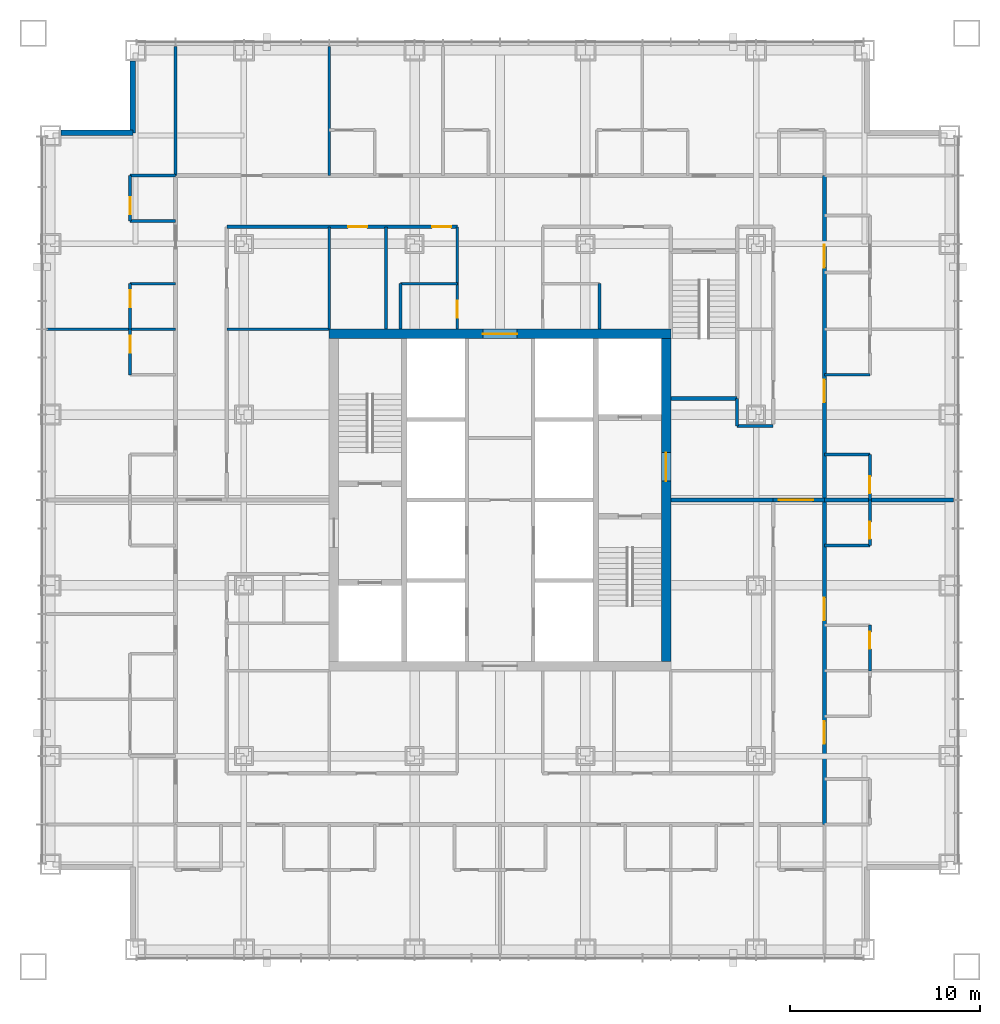
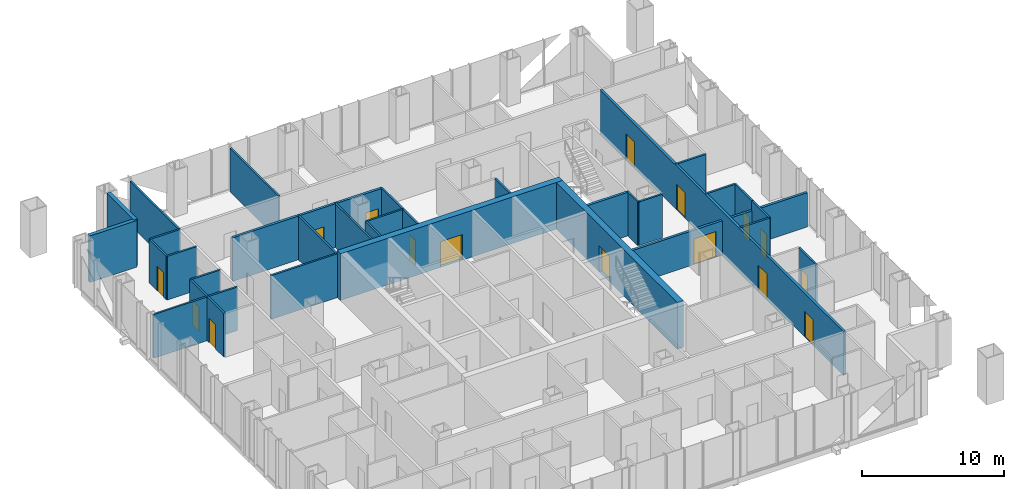
# One storey, part 11 of 14: 34 walls, 16 doors, 16 openings.
"""IFC4 building model written with IfcOpenShell, lengths in metres."""

from ifc_helpers import new_model, si_unit, direction, frame, frame_2d, origin, place, context, subcontext, project, spatial, rectangle, extrude, material, layer, layer_set, type_object, element, fill, save


model = new_model("IFC4")

# Units and contexts
model_context = context("Model", 3, precision=1e-05, world=origin(), true_north=direction((0.0, 1.0)))
body_context = subcontext(model_context, "Body", "Model", "MODEL_VIEW")
ifc_project = project(units=[si_unit("LENGTHUNIT", "METRE"), si_unit("AREAUNIT", "SQUARE_METRE"), si_unit("VOLUMEUNIT", "CUBIC_METRE"), si_unit("PLANEANGLEUNIT", "RADIAN"), si_unit("MASSUNIT", "GRAM", prefix="KILO")], contexts=[model_context])

# Site, building, storey
site_placement = place(None, origin())
site = spatial("IfcSite", under=ifc_project, at=site_placement, CompositionType="ELEMENT")
building_placement = place(site_placement, origin())
building = spatial("IfcBuilding", under=site, at=building_placement, Name="Malebo Sky Hospital", CompositionType="ELEMENT")
storey_placement = place(building_placement, frame((0.0, 0.0, 164.0)))
storey = spatial("IfcBuildingStorey", under=building, at=storey_placement, Name="L39", CompositionType="ELEMENT", Elevation=164.0)

# Wall, opening, door
ifc_material_1 = material(Name="Concrete C80/95", Category="concrete")
ifc_layer_1 = layer(ifc_material_1, 0.5)
ifc_layer_set_1 = layer_set([ifc_layer_1], Name="CORE WALL 500")
wall_type_1 = type_object("IfcWallType", Name="CORE WALL 500", PredefinedType="SHEAR", material=ifc_layer_set_1)
wall_1_placement = place(storey_placement, frame((51.0, 70.75, 0.0), z_axis=(0.0, 0.0, 1.0), x_axis=(1.0, 0.0, 0.0)))
wall_1 = element("IfcWall", 1, at=wall_1_placement, inside=storey, type_object=wall_type_1, Name="Core wall N L39", PredefinedType="SHEAR", context=body_context, shape_type="SweptSolid", body=[
    extrude(rectangle(XDim=18.0, YDim=0.5, at=frame_2d((9.0, 0.0))), origin(), (0.0, 0.0, 1.0), 4.0),
])
opening_1_placement = place(wall_1_placement, frame((8.10009765625, 0.0, 0.0)))
opening_1 = element("IfcOpeningElement", 2, at=opening_1_placement, cuts=wall_1, Name="Opening D06", PredefinedType="OPENING", context=body_context, shape_type="SweptSolid", body=[
    extrude(rectangle(XDim=1.800048828125, YDim=2.199951171875, at=frame_2d((0.89990234375, 1.10009765625))), frame((0.0, 0.260009765625, 0.0), z_axis=(0.0, -1.0, 0.0), x_axis=(1.0, 0.0, 0.0)), (0.0, 0.0, 1.0), 0.52001953125),
])
ifc_material_2 = material(Name="Hardwood-faced door leaf in steel frame", Category="steel")
door_type_1 = type_object("IfcDoorType", Name="LOBBY DOOR PAIR 1800", OperationType="DOUBLE_DOOR_SINGLE_SWING", PredefinedType="DOOR", material=ifc_material_2)
door_1_placement = place(opening_1_placement, origin())
door_1 = element("IfcDoor", 3, at=door_1_placement, inside=storey, type_object=door_type_1, Name="staff rest room door north", OperationType="DOUBLE_DOOR_SINGLE_SWING", OverallHeight=2.199951171875, OverallWidth=1.800048828125, PredefinedType="DOOR", context=body_context, shape_type="SweptSolid", body=[
    extrude(rectangle(XDim=1.800048828125, YDim=2.199951171875, at=frame_2d((0.89990234375, 1.10009765625))), frame((0.0, 0.02490234375, 0.0), z_axis=(0.0, -1.0, 0.0), x_axis=(1.0, 0.0, 0.0)), (0.0, 0.0, 1.0), 0.050048828125),
])
fill(opening_1, door_1)

wall_2_placement = place(storey_placement, frame((68.75, 53.5, 0.0), z_axis=(0.0, 0.0, 1.0), x_axis=(0.0, 1.0, 0.0)))
wall_2 = element("IfcWall", 4, at=wall_2_placement, inside=storey, type_object=wall_type_1, Name="Core wall E L39", PredefinedType="SHEAR", context=body_context, shape_type="SweptSolid", body=[
    extrude(rectangle(XDim=17.0, YDim=0.5, at=frame_2d((8.5, 0.0))), origin(), (0.0, 0.0, 1.0), 4.0),
])
opening_2_placement = place(wall_2_placement, frame((9.5, 0.0, 0.0)))
opening_2 = element("IfcOpeningElement", 5, at=opening_2_placement, cuts=wall_2, Name="Opening D07", PredefinedType="OPENING", context=body_context, shape_type="SweptSolid", body=[
    extrude(rectangle(XDim=1.5, YDim=2.199951171875, at=frame_2d((0.75, 1.10009765625))), frame((0.0, 0.260009765625, 0.0), z_axis=(0.0, -1.0, 0.0), x_axis=(1.0, 0.0, 0.0)), (0.0, 0.0, 1.0), 0.52001953125),
])
door_type_2 = type_object("IfcDoorType", Name="FIRE-FIGHTING LOBBY DOOR PAIR 1500", OperationType="DOUBLE_DOOR_SINGLE_SWING", PredefinedType="DOOR", material=ifc_material_2)
door_2_placement = place(opening_2_placement, origin())
door_2 = element("IfcDoor", 6, at=door_2_placement, inside=storey, type_object=door_type_2, Name="Fire-fighting lobby door east", OperationType="DOUBLE_DOOR_SINGLE_SWING", OverallHeight=2.199951171875, OverallWidth=1.5, PredefinedType="DOOR", context=body_context, shape_type="SweptSolid", body=[
    extrude(rectangle(XDim=1.5, YDim=2.199951171875, at=frame_2d((0.75, 1.10009765625))), frame((0.0, 0.02490234375, 0.0), z_axis=(0.0, -1.0, 0.0), x_axis=(1.0, 0.0, 0.0)), (0.0, 0.0, 1.0), 0.050048828125),
])
fill(opening_2, door_2)

# Wall, openings, doors
ifc_material_3 = material(Name="Gypsum board on steel studs", Category="steel")
ifc_layer_2 = layer(ifc_material_3, 0.199951171875)
ifc_layer_set_2 = layer_set([ifc_layer_2], Name="CORRIDOR WALL 200")
wall_type_2 = type_object("IfcWallType", Name="CORRIDOR WALL 200", PredefinedType="PARTITIONING", material=ifc_layer_set_2)
wall_3_placement = place(storey_placement, frame((45.60009765625, 76.39990234375, 0.0), z_axis=(0.0, 0.0, 1.0), x_axis=(1.0, 0.0, 0.0)))
wall_3 = element("IfcWall", 7, at=wall_3_placement, inside=storey, type_object=wall_type_2, Name="Corridor Wall 200 NCI1", PredefinedType="PARTITIONING", context=body_context, shape_type="SweptSolid", body=[
    extrude(rectangle(XDim=12.14990234375, YDim=0.199951171875, at=frame_2d((6.074951171875, 0.0))), origin(), (0.0, 0.0, 1.0), 3.75),
])
opening_3_placement = place(wall_3_placement, frame((6.39990234375, 0.0, 0.0)))
opening_3 = element("IfcOpeningElement", 8, at=opening_3_placement, cuts=wall_3, Name="Opening D03", PredefinedType="OPENING", context=body_context, shape_type="SweptSolid", body=[
    extrude(rectangle(XDim=1.0, YDim=2.10009765625, at=frame_2d((0.5, 1.050048828125))), frame((0.0, 0.10986328125, 0.0), z_axis=(0.0, -1.0, 0.0), x_axis=(1.0, 0.0, 0.0)), (0.0, 0.0, 1.0), 0.219970703125),
])
opening_4_placement = place(wall_3_placement, frame((10.824951171875, 0.0, 0.0)))
opening_4 = element("IfcOpeningElement", 9, at=opening_4_placement, cuts=wall_3, Name="Opening D03", PredefinedType="OPENING", context=body_context, shape_type="SweptSolid", body=[
    extrude(rectangle(XDim=1.0, YDim=2.10009765625, at=frame_2d((0.5, 1.050048828125))), frame((0.0, 0.10986328125, 0.0), z_axis=(0.0, -1.0, 0.0), x_axis=(1.0, 0.0, 0.0)), (0.0, 0.0, 1.0), 0.219970703125),
])
door_type_3 = type_object("IfcDoorType", Name="ROOM DOOR 1000", OperationType="SINGLE_SWING_LEFT", PredefinedType="DOOR", material=ifc_material_2)
door_3_placement = place(opening_3_placement, origin())
door_3 = element("IfcDoor", 10, at=door_3_placement, inside=storey, type_object=door_type_3, Name="Equipment bay store door", OperationType="SINGLE_SWING_LEFT", OverallHeight=2.10009765625, OverallWidth=1.0, PredefinedType="DOOR", context=body_context, shape_type="SweptSolid", body=[
    extrude(rectangle(XDim=1.0, YDim=2.10009765625, at=frame_2d((0.5, 1.050048828125))), frame((0.0, 0.02490234375, 0.0), z_axis=(0.0, -1.0, 0.0), x_axis=(1.0, 0.0, 0.0)), (0.0, 0.0, 1.0), 0.050048828125),
])
fill(opening_3, door_3)
door_4_placement = place(opening_4_placement, origin())
door_4 = element("IfcDoor", 11, at=door_4_placement, inside=storey, type_object=door_type_3, Name="Medication room door", OperationType="SINGLE_SWING_RIGHT", OverallHeight=2.10009765625, OverallWidth=1.0, PredefinedType="DOOR", context=body_context, shape_type="SweptSolid", body=[
    extrude(rectangle(XDim=1.0, YDim=2.10009765625, at=frame_2d((0.5, 1.050048828125))), frame((0.0, 0.02490234375, 0.0), z_axis=(0.0, -1.0, 0.0), x_axis=(1.0, 0.0, 0.0)), (0.0, 0.0, 1.0), 0.050048828125),
])
fill(opening_4, door_4)

wall_4_placement = place(storey_placement, frame((77.10009765625, 79.10009765625, 0.0), z_axis=(0.0, 0.0, 1.0), x_axis=(0.0, -1.0, 0.0)))
wall_4 = element("IfcWall", 12, at=wall_4_placement, inside=storey, type_object=wall_type_2, Name="Corridor Wall 200 ECO", PredefinedType="PARTITIONING", context=body_context, shape_type="SweptSolid", body=[
    extrude(rectangle(XDim=34.2001953125, YDim=0.199951171875, at=frame_2d((17.10009765625, 0.0))), origin(), (0.0, 0.0, 1.0), 3.75),
])
opening_5_placement = place(wall_4_placement, frame((3.64990234375, 0.0, 0.0)))
opening_5 = element("IfcOpeningElement", 13, at=opening_5_placement, cuts=wall_4, Name="Opening D18", PredefinedType="OPENING", context=body_context, shape_type="SweptSolid", body=[
    extrude(rectangle(XDim=1.199951171875, YDim=2.199951171875, at=frame_2d((0.60009765625, 1.10009765625))), frame((0.0, 0.10986328125, 0.0), z_axis=(0.0, -1.0, 0.0), x_axis=(1.0, 0.0, 0.0)), (0.0, 0.0, 1.0), 0.219970703125),
])
opening_6_placement = place(wall_4_placement, frame((10.75, 0.0, 0.0)))
opening_6 = element("IfcOpeningElement", 14, at=opening_6_placement, cuts=wall_4, Name="Opening D01", PredefinedType="OPENING", context=body_context, shape_type="SweptSolid", body=[
    extrude(rectangle(XDim=1.199951171875, YDim=2.199951171875, at=frame_2d((0.60009765625, 1.10009765625))), frame((0.0, 0.10986328125, 0.0), z_axis=(0.0, -1.0, 0.0), x_axis=(1.0, 0.0, 0.0)), (0.0, 0.0, 1.0), 0.219970703125),
])
opening_7_placement = place(wall_4_placement, frame((22.25, 0.0, 0.0)))
opening_7 = element("IfcOpeningElement", 15, at=opening_7_placement, cuts=wall_4, Name="Opening D01", PredefinedType="OPENING", context=body_context, shape_type="SweptSolid", body=[
    extrude(rectangle(XDim=1.199951171875, YDim=2.199951171875, at=frame_2d((0.60009765625, 1.10009765625))), frame((0.0, 0.10986328125, 0.0), z_axis=(0.0, -1.0, 0.0), x_axis=(1.0, 0.0, 0.0)), (0.0, 0.0, 1.0), 0.219970703125),
])
opening_8_placement = place(wall_4_placement, frame((28.75, 0.0, 0.0)))
opening_8 = element("IfcOpeningElement", 16, at=opening_8_placement, cuts=wall_4, Name="Opening D01", PredefinedType="OPENING", context=body_context, shape_type="SweptSolid", body=[
    extrude(rectangle(XDim=1.199951171875, YDim=2.199951171875, at=frame_2d((0.60009765625, 1.10009765625))), frame((0.0, 0.10986328125, 0.0), z_axis=(0.0, -1.0, 0.0), x_axis=(1.0, 0.0, 0.0)), (0.0, 0.0, 1.0), 0.219970703125),
])
door_type_4 = type_object("IfcDoorType", Name="ANTEROOM DOOR 1200", OperationType="SINGLE_SWING_LEFT", PredefinedType="DOOR", material=ifc_material_2)
door_5_placement = place(opening_5_placement, origin())
door_5 = element("IfcDoor", 17, at=door_5_placement, inside=storey, type_object=door_type_4, Name="Anteroom door", OperationType="SINGLE_SWING_RIGHT", OverallHeight=2.199951171875, OverallWidth=1.199951171875, PredefinedType="DOOR", context=body_context, shape_type="SweptSolid", body=[
    extrude(rectangle(XDim=1.199951171875, YDim=2.199951171875, at=frame_2d((0.60009765625, 1.10009765625))), frame((0.0, 0.02490234375, 0.0), z_axis=(0.0, -1.0, 0.0), x_axis=(1.0, 0.0, 0.0)), (0.0, 0.0, 1.0), 0.050048828125),
])
fill(opening_5, door_5)
door_type_5 = type_object("IfcDoorType", Name="BED DOOR 1200", OperationType="SINGLE_SWING_LEFT", PredefinedType="DOOR", material=ifc_material_2)
door_6_placement = place(opening_6_placement, origin())
door_6 = element("IfcDoor", 18, at=door_6_placement, inside=storey, type_object=door_type_5, Name="Four-bed bay door", OperationType="SINGLE_SWING_LEFT", OverallHeight=2.199951171875, OverallWidth=1.199951171875, PredefinedType="DOOR", context=body_context, shape_type="SweptSolid", body=[
    extrude(rectangle(XDim=1.199951171875, YDim=2.199951171875, at=frame_2d((0.60009765625, 1.10009765625))), frame((0.0, 0.02490234375, 0.0), z_axis=(0.0, -1.0, 0.0), x_axis=(1.0, 0.0, 0.0)), (0.0, 0.0, 1.0), 0.050048828125),
])
fill(opening_6, door_6)
door_7_placement = place(opening_7_placement, origin())
door_7 = element("IfcDoor", 19, at=door_7_placement, inside=storey, type_object=door_type_5, Name="Four-bed bay door", OperationType="SINGLE_SWING_RIGHT", OverallHeight=2.199951171875, OverallWidth=1.199951171875, PredefinedType="DOOR", context=body_context, shape_type="SweptSolid", body=[
    extrude(rectangle(XDim=1.199951171875, YDim=2.199951171875, at=frame_2d((0.60009765625, 1.10009765625))), frame((0.0, 0.02490234375, 0.0), z_axis=(0.0, -1.0, 0.0), x_axis=(1.0, 0.0, 0.0)), (0.0, 0.0, 1.0), 0.050048828125),
])
fill(opening_7, door_7)
door_8_placement = place(opening_8_placement, origin())
door_8 = element("IfcDoor", 20, at=door_8_placement, inside=storey, type_object=door_type_5, Name="Four-bed bay door", OperationType="SINGLE_SWING_LEFT", OverallHeight=2.199951171875, OverallWidth=1.199951171875, PredefinedType="DOOR", context=body_context, shape_type="SweptSolid", body=[
    extrude(rectangle(XDim=1.199951171875, YDim=2.199951171875, at=frame_2d((0.60009765625, 1.10009765625))), frame((0.0, 0.02490234375, 0.0), z_axis=(0.0, -1.0, 0.0), x_axis=(1.0, 0.0, 0.0)), (0.0, 0.0, 1.0), 0.050048828125),
])
fill(opening_8, door_8)

# Walls
ifc_material_4 = material(Name="Anodised aluminium rainscreen on steel framing", Category="steel")
ifc_layer_3 = layer(ifc_material_4, 0.300048828125)
ifc_layer_set_3 = layer_set([ifc_layer_3], Name="NOTCH RAINSCREEN WALL 300")
wall_type_3 = type_object("IfcWallType", Name="NOTCH RAINSCREEN WALL 300", PredefinedType="ELEMENTEDWALL", material=ifc_layer_set_3)
for number, where, z_axis, x_axis, name in (
    (21, (36.85009765625, 81.35009765625, 0.0), (0.0, 0.0, 1.0), (1.0, 0.0, 0.0), "Notch rainscreen wall W1 L39"),
    (22, (40.64990234375, 81.35009765625, 0.0), (0.0, 0.0, 1.0), (0.0, 1.0, 0.0), "Notch rainscreen wall W2 L39"),
):
    element("IfcWall", number, at=place(storey_placement, frame(where, z_axis=z_axis, x_axis=x_axis)), inside=storey, type_object=wall_type_3, Name=name, PredefinedType="ELEMENTEDWALL", context=body_context, shape_type="SweptSolid", body=[
        extrude(rectangle(XDim=3.7998046875, YDim=0.300048828125, at=frame_2d((1.89990234375, 0.0))), origin(), (0.0, 0.0, 1.0), 4.0),
    ])
ifc_layer_4 = layer(ifc_material_3, 0.14990234375)
ifc_layer_set_4 = layer_set([ifc_layer_4], Name="PARTITION 150")
wall_type_4 = type_object("IfcWallType", Name="PARTITION 150", PredefinedType="PARTITIONING", material=ifc_layer_set_4)
for number, where, z_axis, x_axis, name in (
    (23, (51.0, 79.10009765625, 0.0), (0.0, 0.0, 1.0), (0.0, 1.0, 0.0), "Partition 150 NP-9.0"),
    (24, (42.89990234375, 79.10009765625, 0.0), (0.0, 0.0, 1.0), (0.0, 1.0, 0.0), "Partition 150 NP0"),
):
    element("IfcWall", number, at=place(storey_placement, frame(where, z_axis=z_axis, x_axis=x_axis)), inside=storey, type_object=wall_type_4, Name=name, PredefinedType="PARTITIONING", context=body_context, shape_type="SweptSolid", body=[
        extrude(rectangle(XDim=6.809814453125, YDim=0.14990234375, at=frame_2d((3.40478515625, 0.0))), origin(), (0.0, 0.0, 1.0), 3.75),
    ])
wall_5_placement = place(storey_placement, frame((51.0, 71.0, 0.0), z_axis=(0.0, 0.0, 1.0), x_axis=(0.0, 1.0, 0.0)))
element("IfcWall", 25, at=wall_5_placement, inside=storey, type_object=wall_type_4, Name="Partition 150 NSP0", PredefinedType="PARTITIONING", context=body_context, shape_type="SweptSolid", body=[
    extrude(rectangle(XDim=5.39990234375, YDim=0.14990234375, at=frame_2d((2.699951171875, 0.0))), origin(), (0.0, 0.0, 1.0), 3.75),
])

# Wall, opening, door
wall_6_placement = place(storey_placement, frame((57.75, 71.0, 0.0), z_axis=(0.0, 0.0, 1.0), x_axis=(0.0, 1.0, 0.0)))
wall_6 = element("IfcWall", 26, at=wall_6_placement, inside=storey, type_object=wall_type_4, Name="Partition 150 NSPA", PredefinedType="PARTITIONING", context=body_context, shape_type="SweptSolid", body=[
    extrude(rectangle(XDim=5.39990234375, YDim=0.14990234375, at=frame_2d((2.699951171875, 0.0))), origin(), (0.0, 0.0, 1.0), 3.75),
])
opening_9_placement = place(wall_6_placement, frame((0.60009765625, 0.0, 0.0)))
opening_9 = element("IfcOpeningElement", 27, at=opening_9_placement, cuts=wall_6, Name="Opening D04", PredefinedType="OPENING", context=body_context, shape_type="SweptSolid", body=[
    extrude(rectangle(XDim=0.89990234375, YDim=2.10009765625, at=frame_2d((0.449951171875, 1.050048828125))), frame((0.0, 0.0849609375, 0.0), z_axis=(0.0, -1.0, 0.0), x_axis=(1.0, 0.0, 0.0)), (0.0, 0.0, 1.0), 0.169921875),
])
door_type_6 = type_object("IfcDoorType", Name="ROOM DOOR 900", OperationType="SINGLE_SWING_LEFT", PredefinedType="DOOR", material=ifc_material_2)
door_9_placement = place(opening_9_placement, origin())
door_9 = element("IfcDoor", 28, at=door_9_placement, inside=storey, type_object=door_type_6, Name="Staff WC door", OperationType="SINGLE_SWING_LEFT", OverallHeight=2.10009765625, OverallWidth=0.89990234375, PredefinedType="DOOR", context=body_context, shape_type="SweptSolid", body=[
    extrude(rectangle(XDim=0.89990234375, YDim=2.10009765625, at=frame_2d((0.449951171875, 1.050048828125))), frame((0.0, 0.02490234375, 0.0), z_axis=(0.0, -1.0, 0.0), x_axis=(1.0, 0.0, 0.0)), (0.0, 0.0, 1.0), 0.050048828125),
])
fill(opening_9, door_9)

# Walls
wall_7_placement = place(storey_placement, frame((54.0, 71.0, 0.0), z_axis=(0.0, 0.0, 1.0), x_axis=(0.0, 1.0, 0.0)))
element("IfcWall", 29, at=wall_7_placement, inside=storey, type_object=wall_type_4, Name="Partition 150 NSP-6.0", PredefinedType="PARTITIONING", context=body_context, shape_type="SweptSolid", body=[
    extrude(rectangle(XDim=5.39990234375, YDim=0.14990234375, at=frame_2d((2.699951171875, 0.0))), origin(), (0.0, 0.0, 1.0), 3.75),
])
wall_8_placement = place(storey_placement, frame((54.75, 73.39990234375, 0.0), z_axis=(0.0, 0.0, 1.0), x_axis=(1.0, 0.0, 0.0)))
element("IfcWall", 30, at=wall_8_placement, inside=storey, type_object=wall_type_4, Name="Partition 150 NSX1", PredefinedType="PARTITIONING", context=body_context, shape_type="SweptSolid", body=[
    extrude(rectangle(XDim=3.0, YDim=0.14990234375, at=frame_2d((1.5, 0.0))), origin(), (0.0, 0.0, 1.0), 3.75),
])
for number, where, z_axis, x_axis, name in (
    (31, (54.75, 71.0, 0.0), (0.0, 0.0, 1.0), (0.0, 1.0, 0.0), "Partition 150 NSY1"),
    (32, (65.25, 71.0, 0.0), (0.0, 0.0, 1.0), (0.0, 1.0, 0.0), "Partition 150 NSY2"),
):
    element("IfcWall", number, at=place(storey_placement, frame(where, z_axis=z_axis, x_axis=x_axis)), inside=storey, type_object=wall_type_4, Name=name, PredefinedType="PARTITIONING", context=body_context, shape_type="SweptSolid", body=[
        extrude(rectangle(XDim=2.39990234375, YDim=0.14990234375, at=frame_2d((1.199951171875, 0.0))), origin(), (0.0, 0.0, 1.0), 3.75),
    ])
wall_9_placement = place(storey_placement, frame((42.89990234375, 71.0, 0.0), z_axis=(0.0, 0.0, 1.0), x_axis=(-1.0, 0.0, 0.0)))
element("IfcWall", 33, at=wall_9_placement, inside=storey, type_object=wall_type_4, Name="Partition 150 WP+9.0", PredefinedType="PARTITIONING", context=body_context, shape_type="SweptSolid", body=[
    extrude(rectangle(XDim=6.809814453125, YDim=0.14990234375, at=frame_2d((3.40478515625, 0.0))), origin(), (0.0, 0.0, 1.0), 3.75),
])

# Wall, opening, door
wall_10_placement = place(storey_placement, frame((40.5, 68.60009765625, 0.0), z_axis=(0.0, 0.0, 1.0), x_axis=(0.0, 1.0, 0.0)))
wall_10 = element("IfcWall", 34, at=wall_10_placement, inside=storey, type_object=wall_type_4, Name="Partition 150 WG3F", PredefinedType="PARTITIONING", context=body_context, shape_type="SweptSolid", body=[
    extrude(rectangle(XDim=2.39990234375, YDim=0.14990234375, at=frame_2d((1.199951171875, 0.0))), origin(), (0.0, 0.0, 1.0), 3.75),
])
opening_10_placement = place(wall_10_placement, frame((1.14990234375, 0.0, 0.0)))
opening_10 = element("IfcOpeningElement", 35, at=opening_10_placement, cuts=wall_10, Name="Opening D02", PredefinedType="OPENING", context=body_context, shape_type="SweptSolid", body=[
    extrude(rectangle(XDim=0.89990234375, YDim=2.10009765625, at=frame_2d((0.449951171875, 1.050048828125))), frame((0.0, 0.0849609375, 0.0), z_axis=(0.0, -1.0, 0.0), x_axis=(1.0, 0.0, 0.0)), (0.0, 0.0, 1.0), 0.169921875),
])
door_type_7 = type_object("IfcDoorType", Name="EN-SUITE DOOR 900", OperationType="SINGLE_SWING_LEFT", PredefinedType="DOOR", material=ifc_material_2)
door_10_placement = place(opening_10_placement, origin())
door_10 = element("IfcDoor", 36, at=door_10_placement, inside=storey, type_object=door_type_7, Name="En-suite door", OperationType="SINGLE_SWING_RIGHT", OverallHeight=2.10009765625, OverallWidth=0.89990234375, PredefinedType="DOOR", context=body_context, shape_type="SweptSolid", body=[
    extrude(rectangle(XDim=0.89990234375, YDim=2.10009765625, at=frame_2d((0.449951171875, 1.050048828125))), frame((0.0, 0.02490234375, 0.0), z_axis=(0.0, -1.0, 0.0), x_axis=(1.0, 0.0, 0.0)), (0.0, 0.0, 1.0), 0.050048828125),
])
fill(opening_10, door_10)

wall_11_placement = place(storey_placement, frame((40.5, 76.699951171875, 0.0), z_axis=(0.0, 0.0, 1.0), x_axis=(0.0, 1.0, 0.0)))
wall_11 = element("IfcWall", 37, at=wall_11_placement, inside=storey, type_object=wall_type_4, Name="Partition 150 WE4F", PredefinedType="PARTITIONING", context=body_context, shape_type="SweptSolid", body=[
    extrude(rectangle(XDim=2.400146484375, YDim=0.14990234375, at=frame_2d((1.2001953125, 0.0))), origin(), (0.0, 0.0, 1.0), 3.75),
])
opening_11_placement = place(wall_11_placement, frame((0.35009765625, 0.0, 0.0)))
opening_11 = element("IfcOpeningElement", 38, at=opening_11_placement, cuts=wall_11, Name="Opening D02", PredefinedType="OPENING", context=body_context, shape_type="SweptSolid", body=[
    extrude(rectangle(XDim=0.89990234375, YDim=2.10009765625, at=frame_2d((0.449951171875, 1.050048828125))), frame((0.0, 0.0849609375, 0.0), z_axis=(0.0, -1.0, 0.0), x_axis=(1.0, 0.0, 0.0)), (0.0, 0.0, 1.0), 0.169921875),
])
door_11_placement = place(opening_11_placement, origin())
door_11 = element("IfcDoor", 39, at=door_11_placement, inside=storey, type_object=door_type_7, Name="En-suite door", OperationType="SINGLE_SWING_LEFT", OverallHeight=2.10009765625, OverallWidth=0.89990234375, PredefinedType="DOOR", context=body_context, shape_type="SweptSolid", body=[
    extrude(rectangle(XDim=0.89990234375, YDim=2.10009765625, at=frame_2d((0.449951171875, 1.050048828125))), frame((0.0, 0.02490234375, 0.0), z_axis=(0.0, -1.0, 0.0), x_axis=(1.0, 0.0, 0.0)), (0.0, 0.0, 1.0), 0.050048828125),
])
fill(opening_11, door_11)

# Wall
wall_12_placement = place(storey_placement, frame((42.89990234375, 76.699951171875, 0.0), z_axis=(0.0, 0.0, 1.0), x_axis=(-1.0, 0.0, 0.0)))
element("IfcWall", 40, at=wall_12_placement, inside=storey, type_object=wall_type_4, Name="Partition 150 WE4S", PredefinedType="PARTITIONING", context=body_context, shape_type="SweptSolid", body=[
    extrude(rectangle(XDim=2.39990234375, YDim=0.14990234375, at=frame_2d((1.199951171875, 0.0))), origin(), (0.0, 0.0, 1.0), 3.75),
])

# Wall, opening, door
wall_13_placement = place(storey_placement, frame((40.5, 71.0, 0.0), z_axis=(0.0, 0.0, 1.0), x_axis=(0.0, 1.0, 0.0)))
wall_13 = element("IfcWall", 41, at=wall_13_placement, inside=storey, type_object=wall_type_4, Name="Partition 150 WG4F", PredefinedType="PARTITIONING", context=body_context, shape_type="SweptSolid", body=[
    extrude(rectangle(XDim=2.39990234375, YDim=0.14990234375, at=frame_2d((1.199951171875, 0.0))), origin(), (0.0, 0.0, 1.0), 3.75),
])
opening_12_placement = place(wall_13_placement, frame((1.14990234375, 0.0, 0.0)))
opening_12 = element("IfcOpeningElement", 42, at=opening_12_placement, cuts=wall_13, Name="Opening D02", PredefinedType="OPENING", context=body_context, shape_type="SweptSolid", body=[
    extrude(rectangle(XDim=0.89990234375, YDim=2.10009765625, at=frame_2d((0.449951171875, 1.050048828125))), frame((0.0, 0.0849609375, 0.0), z_axis=(0.0, -1.0, 0.0), x_axis=(1.0, 0.0, 0.0)), (0.0, 0.0, 1.0), 0.169921875),
])
door_12_placement = place(opening_12_placement, origin())
door_12 = element("IfcDoor", 43, at=door_12_placement, inside=storey, type_object=door_type_7, Name="En-suite door", OperationType="SINGLE_SWING_RIGHT", OverallHeight=2.10009765625, OverallWidth=0.89990234375, PredefinedType="DOOR", context=body_context, shape_type="SweptSolid", body=[
    extrude(rectangle(XDim=0.89990234375, YDim=2.10009765625, at=frame_2d((0.449951171875, 1.050048828125))), frame((0.0, 0.02490234375, 0.0), z_axis=(0.0, -1.0, 0.0), x_axis=(1.0, 0.0, 0.0)), (0.0, 0.0, 1.0), 0.050048828125),
])
fill(opening_12, door_12)

# Walls
for number, where, z_axis, x_axis, name in (
    (44, (42.89990234375, 73.39990234375, 0.0), (0.0, 0.0, 1.0), (-1.0, 0.0, 0.0), "Partition 150 WG4S"),
    (45, (42.89990234375, 79.10009765625, 0.0), (0.0, 0.0, 1.0), (-1.0, 0.0, 0.0), "Partition 150 WEZ"),
):
    element("IfcWall", number, at=place(storey_placement, frame(where, z_axis=z_axis, x_axis=x_axis)), inside=storey, type_object=wall_type_4, Name=name, PredefinedType="PARTITIONING", context=body_context, shape_type="SweptSolid", body=[
        extrude(rectangle(XDim=2.39990234375, YDim=0.14990234375, at=frame_2d((1.199951171875, 0.0))), origin(), (0.0, 0.0, 1.0), 3.75),
    ])
wall_14_placement = place(storey_placement, frame((51.0, 71.0, 0.0), z_axis=(0.0, 0.0, 1.0), x_axis=(-1.0, 0.0, 0.0)))
element("IfcWall", 46, at=wall_14_placement, inside=storey, type_object=wall_type_4, Name="Partition 150 WSP+9.0", PredefinedType="PARTITIONING", context=body_context, shape_type="SweptSolid", body=[
    extrude(rectangle(XDim=5.39990234375, YDim=0.14990234375, at=frame_2d((2.699951171875, 0.0))), origin(), (0.0, 0.0, 1.0), 3.75),
])
wall_15_placement = place(storey_placement, frame((77.10009765625, 68.60009765625, 0.0), z_axis=(0.0, 0.0, 1.0), x_axis=(1.0, 0.0, 0.0)))
element("IfcWall", 47, at=wall_15_placement, inside=storey, type_object=wall_type_4, Name="Partition 150 EE1S", PredefinedType="PARTITIONING", context=body_context, shape_type="SweptSolid", body=[
    extrude(rectangle(XDim=2.39990234375, YDim=0.14990234375, at=frame_2d((1.199951171875, 0.0))), origin(), (0.0, 0.0, 1.0), 3.75),
])

# Wall, opening, door
wall_16_placement = place(storey_placement, frame((79.5, 64.39990234375, 0.0), z_axis=(0.0, 0.0, 1.0), x_axis=(0.0, -1.0, 0.0)))
wall_16 = element("IfcWall", 48, at=wall_16_placement, inside=storey, type_object=wall_type_4, Name="Partition 150 EG1F", PredefinedType="PARTITIONING", context=body_context, shape_type="SweptSolid", body=[
    extrude(rectangle(XDim=2.39990234375, YDim=0.14990234375, at=frame_2d((1.199951171875, 0.0))), origin(), (0.0, 0.0, 1.0), 3.75),
])
opening_13_placement = place(wall_16_placement, frame((1.14990234375, 0.0, 0.0)))
opening_13 = element("IfcOpeningElement", 49, at=opening_13_placement, cuts=wall_16, Name="Opening D02", PredefinedType="OPENING", context=body_context, shape_type="SweptSolid", body=[
    extrude(rectangle(XDim=0.89990234375, YDim=2.10009765625, at=frame_2d((0.449951171875, 1.050048828125))), frame((0.0, 0.0849609375, 0.0), z_axis=(0.0, -1.0, 0.0), x_axis=(1.0, 0.0, 0.0)), (0.0, 0.0, 1.0), 0.169921875),
])
door_13_placement = place(opening_13_placement, origin())
door_13 = element("IfcDoor", 50, at=door_13_placement, inside=storey, type_object=door_type_7, Name="En-suite door", OperationType="SINGLE_SWING_RIGHT", OverallHeight=2.10009765625, OverallWidth=0.89990234375, PredefinedType="DOOR", context=body_context, shape_type="SweptSolid", body=[
    extrude(rectangle(XDim=0.89990234375, YDim=2.10009765625, at=frame_2d((0.449951171875, 1.050048828125))), frame((0.0, 0.02490234375, 0.0), z_axis=(0.0, -1.0, 0.0), x_axis=(1.0, 0.0, 0.0)), (0.0, 0.0, 1.0), 0.050048828125),
])
fill(opening_13, door_13)

# Wall
wall_17_placement = place(storey_placement, frame((77.10009765625, 64.39990234375, 0.0), z_axis=(0.0, 0.0, 1.0), x_axis=(1.0, 0.0, 0.0)))
element("IfcWall", 51, at=wall_17_placement, inside=storey, type_object=wall_type_4, Name="Partition 150 EG1S", PredefinedType="PARTITIONING", context=body_context, shape_type="SweptSolid", body=[
    extrude(rectangle(XDim=2.39990234375, YDim=0.14990234375, at=frame_2d((1.199951171875, 0.0))), origin(), (0.0, 0.0, 1.0), 3.75),
])

# Wall, opening, door
wall_18_placement = place(storey_placement, frame((79.5, 55.39990234375, 0.0), z_axis=(0.0, 0.0, 1.0), x_axis=(0.0, -1.0, 0.0)))
wall_18 = element("IfcWall", 52, at=wall_18_placement, inside=storey, type_object=wall_type_4, Name="Partition 150 EE2F", PredefinedType="PARTITIONING", context=body_context, shape_type="SweptSolid", body=[
    extrude(rectangle(XDim=2.39990234375, YDim=0.14990234375, at=frame_2d((1.199951171875, 0.0))), origin(), (0.0, 0.0, 1.0), 3.75),
])
opening_14_placement = place(wall_18_placement, frame((0.35009765625, 0.0, 0.0)))
opening_14 = element("IfcOpeningElement", 53, at=opening_14_placement, cuts=wall_18, Name="Opening D02", PredefinedType="OPENING", context=body_context, shape_type="SweptSolid", body=[
    extrude(rectangle(XDim=0.89990234375, YDim=2.10009765625, at=frame_2d((0.449951171875, 1.050048828125))), frame((0.0, 0.0849609375, 0.0), z_axis=(0.0, -1.0, 0.0), x_axis=(1.0, 0.0, 0.0)), (0.0, 0.0, 1.0), 0.169921875),
])
door_14_placement = place(opening_14_placement, origin())
door_14 = element("IfcDoor", 54, at=door_14_placement, inside=storey, type_object=door_type_7, Name="En-suite door", OperationType="SINGLE_SWING_LEFT", OverallHeight=2.10009765625, OverallWidth=0.89990234375, PredefinedType="DOOR", context=body_context, shape_type="SweptSolid", body=[
    extrude(rectangle(XDim=0.89990234375, YDim=2.10009765625, at=frame_2d((0.449951171875, 1.050048828125))), frame((0.0, 0.02490234375, 0.0), z_axis=(0.0, -1.0, 0.0), x_axis=(1.0, 0.0, 0.0)), (0.0, 0.0, 1.0), 0.050048828125),
])
fill(opening_14, door_14)

wall_19_placement = place(storey_placement, frame((79.5, 62.0, 0.0), z_axis=(0.0, 0.0, 1.0), x_axis=(0.0, -1.0, 0.0)))
wall_19 = element("IfcWall", 55, at=wall_19_placement, inside=storey, type_object=wall_type_4, Name="Partition 150 EG2F", PredefinedType="PARTITIONING", context=body_context, shape_type="SweptSolid", body=[
    extrude(rectangle(XDim=2.39990234375, YDim=0.14990234375, at=frame_2d((1.199951171875, 0.0))), origin(), (0.0, 0.0, 1.0), 3.75),
])
opening_15_placement = place(wall_19_placement, frame((1.14990234375, 0.0, 0.0)))
opening_15 = element("IfcOpeningElement", 56, at=opening_15_placement, cuts=wall_19, Name="Opening D02", PredefinedType="OPENING", context=body_context, shape_type="SweptSolid", body=[
    extrude(rectangle(XDim=0.89990234375, YDim=2.10009765625, at=frame_2d((0.449951171875, 1.050048828125))), frame((0.0, 0.0849609375, 0.0), z_axis=(0.0, -1.0, 0.0), x_axis=(1.0, 0.0, 0.0)), (0.0, 0.0, 1.0), 0.169921875),
])
door_15_placement = place(opening_15_placement, origin())
door_15 = element("IfcDoor", 57, at=door_15_placement, inside=storey, type_object=door_type_7, Name="En-suite door", OperationType="SINGLE_SWING_RIGHT", OverallHeight=2.10009765625, OverallWidth=0.89990234375, PredefinedType="DOOR", context=body_context, shape_type="SweptSolid", body=[
    extrude(rectangle(XDim=0.89990234375, YDim=2.10009765625, at=frame_2d((0.449951171875, 1.050048828125))), frame((0.0, 0.02490234375, 0.0), z_axis=(0.0, -1.0, 0.0), x_axis=(1.0, 0.0, 0.0)), (0.0, 0.0, 1.0), 0.050048828125),
])
fill(opening_15, door_15)

# Walls
wall_20_placement = place(storey_placement, frame((77.10009765625, 59.60009765625, 0.0), z_axis=(0.0, 0.0, 1.0), x_axis=(1.0, 0.0, 0.0)))
element("IfcWall", 58, at=wall_20_placement, inside=storey, type_object=wall_type_4, Name="Partition 150 EG2S", PredefinedType="PARTITIONING", context=body_context, shape_type="SweptSolid", body=[
    extrude(rectangle(XDim=2.39990234375, YDim=0.14990234375, at=frame_2d((1.199951171875, 0.0))), origin(), (0.0, 0.0, 1.0), 3.75),
])
wall_21_placement = place(storey_placement, frame((72.5, 65.89990234375, 0.0), z_axis=(0.0, 0.0, 1.0), x_axis=(1.0, 0.0, 0.0)))
element("IfcWall", 59, at=wall_21_placement, inside=storey, type_object=wall_type_4, Name="Partition 150 ESPA", PredefinedType="PARTITIONING", context=body_context, shape_type="SweptSolid", body=[
    extrude(rectangle(XDim=1.89990234375, YDim=0.14990234375, at=frame_2d((0.949951171875, 0.0))), origin(), (0.0, 0.0, 1.0), 3.75),
])
wall_22_placement = place(storey_placement, frame((72.5, 65.89990234375, 0.0), z_axis=(0.0, 0.0, 1.0), x_axis=(0.0, 1.0, 0.0)))
element("IfcWall", 60, at=wall_22_placement, inside=storey, type_object=wall_type_4, Name="Partition 150 ST3C", PredefinedType="PARTITIONING", context=body_context, shape_type="SweptSolid", body=[
    extrude(rectangle(XDim=1.4501953125, YDim=0.14990234375, at=frame_2d((0.72509765625, 0.0))), origin(), (0.0, 0.0, 1.0), 3.75),
])
ifc_material_5 = material(Name="Concrete blockwork", Category="masonry")
ifc_layer_5 = layer(ifc_material_5, 0.199951171875)
ifc_layer_set_5 = layer_set([ifc_layer_5], Name="SMOKE BARRIER WALL 200")
wall_type_5 = type_object("IfcWallType", Name="SMOKE BARRIER WALL 200", PredefinedType="SOLIDWALL", material=ifc_layer_set_5)
wall_23_placement = place(storey_placement, frame((77.10009765625, 62.0, 0.0), z_axis=(0.0, 0.0, 1.0), x_axis=(1.0, 0.0, 0.0)))
element("IfcWall", 61, at=wall_23_placement, inside=storey, type_object=wall_type_5, Name="Smoke Barrier Wall 200 EP+0.0", PredefinedType="SOLIDWALL", context=body_context, shape_type="SweptSolid", body=[
    extrude(rectangle(XDim=6.809814453125, YDim=0.199951171875, at=frame_2d((3.40478515625, 0.0))), origin(), (0.0, 0.0, 1.0), 2.949951171875),
])
wall_24_placement = place(storey_placement, frame((69.0, 62.0, 0.0), z_axis=(0.0, 0.0, 1.0), x_axis=(1.0, 0.0, 0.0)))
element("IfcWall", 62, at=wall_24_placement, inside=storey, type_object=wall_type_5, Name="Smoke Barrier Wall 200 ESPB", PredefinedType="SOLIDWALL", context=body_context, shape_type="SweptSolid", body=[
    extrude(rectangle(XDim=5.39990234375, YDim=0.199951171875, at=frame_2d((2.699951171875, 0.0))), origin(), (0.0, 0.0, 1.0), 2.949951171875),
])

# Wall, opening, door
wall_25_placement = place(storey_placement, frame((74.39990234375, 62.0, 0.0), z_axis=(0.0, 0.0, 1.0), x_axis=(1.0, 0.0, 0.0)))
wall_25 = element("IfcWall", 63, at=wall_25_placement, inside=storey, type_object=wall_type_5, Name="Smoke Barrier Wall 200 ESB", PredefinedType="SOLIDWALL", context=body_context, shape_type="SweptSolid", body=[
    extrude(rectangle(XDim=2.7001953125, YDim=0.199951171875, at=frame_2d((1.35009765625, 0.0))), origin(), (0.0, 0.0, 1.0), 2.949951171875),
])
opening_16_placement = place(wall_25_placement, frame((0.300048828125, 0.0, 0.0)))
opening_16 = element("IfcOpeningElement", 64, at=opening_16_placement, cuts=wall_25, Name="Opening D05", PredefinedType="OPENING", context=body_context, shape_type="SweptSolid", body=[
    extrude(rectangle(XDim=1.800048828125, YDim=2.199951171875, at=frame_2d((0.89990234375, 1.10009765625))), frame((0.0, 0.10986328125, 0.0), z_axis=(0.0, -1.0, 0.0), x_axis=(1.0, 0.0, 0.0)), (0.0, 0.0, 1.0), 0.219970703125),
])
door_type_8 = type_object("IfcDoorType", Name="SMOKE DOOR PAIR 1800", OperationType="DOUBLE_DOOR_DOUBLE_SWING", PredefinedType="DOOR", material=ifc_material_2)
door_16_placement = place(opening_16_placement, origin())
door_16 = element("IfcDoor", 65, at=door_16_placement, inside=storey, type_object=door_type_8, Name="Smoke compartment door pair", OperationType="DOUBLE_DOOR_DOUBLE_SWING", OverallHeight=2.199951171875, OverallWidth=1.800048828125, PredefinedType="DOOR", context=body_context, shape_type="SweptSolid", body=[
    extrude(rectangle(XDim=1.800048828125, YDim=2.199951171875, at=frame_2d((0.89990234375, 1.10009765625))), frame((0.0, 0.02490234375, 0.0), z_axis=(0.0, -1.0, 0.0), x_axis=(1.0, 0.0, 0.0)), (0.0, 0.0, 1.0), 0.050048828125),
])
fill(opening_16, door_16)

# Wall
ifc_material_6 = material(Name="Concrete C40/50", Category="concrete")
ifc_layer_6 = layer(ifc_material_6, 0.199951171875)
ifc_layer_set_6 = layer_set([ifc_layer_6], Name="STAIR ENCLOSURE WALL 200")
wall_type_6 = type_object("IfcWallType", Name="STAIR ENCLOSURE WALL 200", PredefinedType="SOLIDWALL", material=ifc_layer_set_6)
wall_26_placement = place(storey_placement, frame((69.0, 67.35009765625, 0.0), z_axis=(0.0, 0.0, 1.0), x_axis=(1.0, 0.0, 0.0)))
element("IfcWall", 66, at=wall_26_placement, inside=storey, type_object=wall_type_6, Name="Stair Enclosure Wall 200 ST3S", PredefinedType="SOLIDWALL", context=body_context, shape_type="SweptSolid", body=[
    extrude(rectangle(XDim=3.5, YDim=0.199951171875, at=frame_2d((1.75, 0.0))), origin(), (0.0, 0.0, 1.0), 3.75),
])

save(model, "model.ifc")
